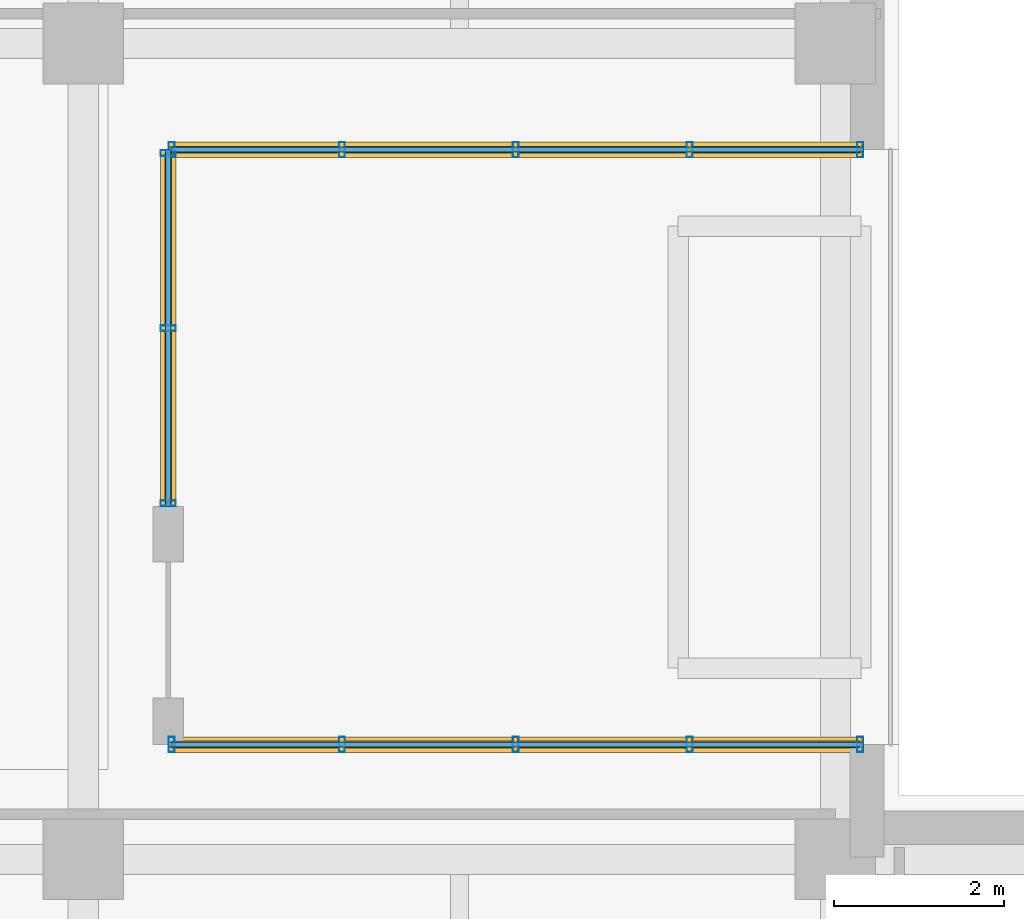
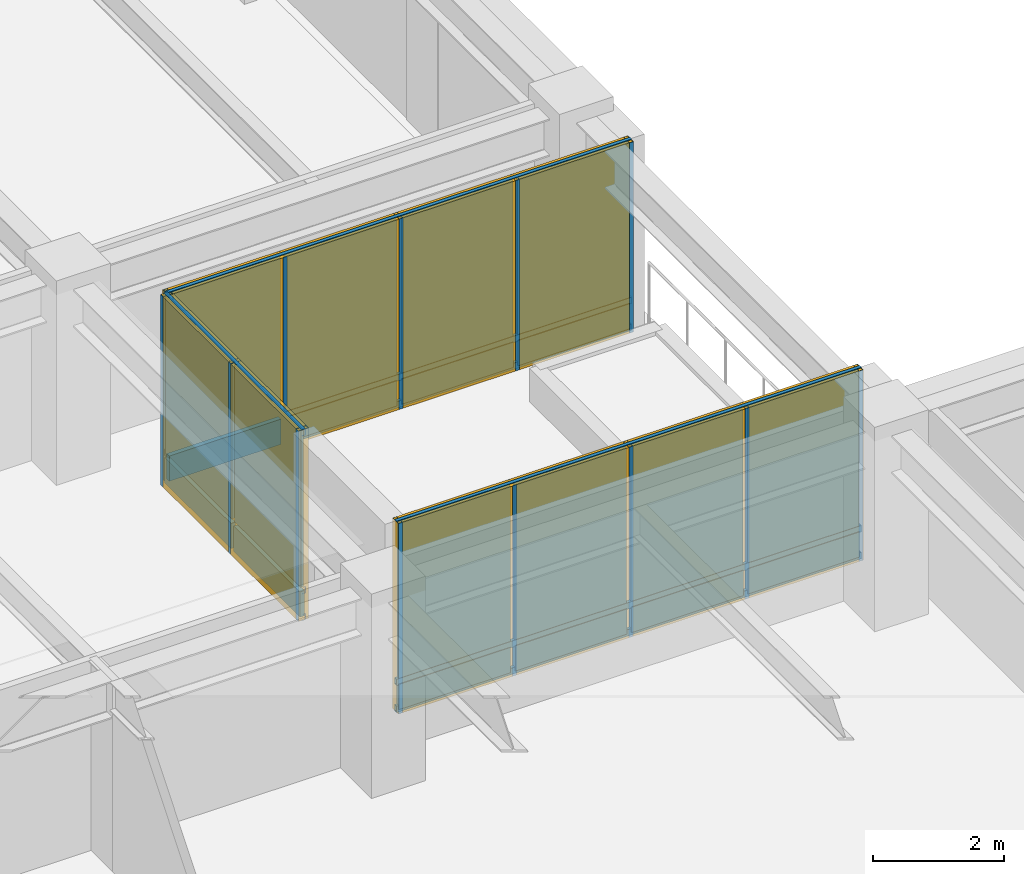
# One storey, part 11 of 16: 22 members, 20 plates, 3 curtain walls.
"""IFC4 building model written with IfcOpenShell, lengths in metres."""

import ifcopenshell
import ifcopenshell.guid

model = None  # the IFC model being written
_history = None  # IfcOwnerHistory: only IFC2X3 demands one
_inside = {}  # id of a spatial element -> (the spatial element, [elements in it])
_under = {}  # id of a project, library or spatial element -> (it, [spatial elements below it])
_declared = {}  # id of a project -> (the project, [libraries it declares])
_typed = {}  # id of a type object -> (the type object, [elements of that type])
_made_of = {}  # id of a material, layer set ... -> (it, [elements and type objects made of it])


def new_model(schema):
    """Start an empty IFC model of exactly this schema.

    Asked for "IFC4X3", IfcOpenShell would pick the latest addendum, in which some entities
    have other attributes; the version numbers below select the first issue.
    IFC2X3 requires an IfcOwnerHistory on every rooted entity: one is made here for all.
    """
    global model, _history
    if schema == "IFC4X3":
        model = ifcopenshell.file(schema_version=(4, 3, 0, 0))
    else:
        model = ifcopenshell.file(schema=schema)
    _inside.clear()
    _under.clear()
    _declared.clear()
    _typed.clear()
    _made_of.clear()
    _history = None
    if model.schema == "IFC2X3":
        org = make("IfcOrganization", Name="unknown")
        user = make(
            "IfcPersonAndOrganization",
            ThePerson=make("IfcPerson", FamilyName="unknown"),
            TheOrganization=org,
        )
        app = make(
            "IfcApplication",
            ApplicationDeveloper=org,
            Version="unknown",
            ApplicationFullName="unknown",
            ApplicationIdentifier="unknown",
        )
        _history = make(
            "IfcOwnerHistory",
            OwningUser=user,
            OwningApplication=app,
            ChangeAction="ADDED",
            CreationDate=0,
        )
    return model


def make(cls, **values):
    """One entity of the class cls with the attributes given. An attribute that is None is left unset."""
    return model.create_entity(
        cls, **{name: value for name, value in values.items() if value is not None}
    )


def rooted(cls, **values):
    """An entity with a GlobalId (a new one), such as an element, a storey or a relation."""
    return make(cls, GlobalId=ifcopenshell.guid.new(), OwnerHistory=_history, **values)


def si_unit(unit_type, name, prefix=None):
    """IfcSIUnit, for example si_unit("LENGTHUNIT", "METRE", prefix="MILLI")."""
    return make("IfcSIUnit", UnitType=unit_type, Prefix=prefix, Name=name)


def assignment(units):
    """IfcUnitAssignment: the units of a project."""
    return None if units is None else make("IfcUnitAssignment", Units=units)


def point(xyz):
    """IfcCartesianPoint."""
    return None if xyz is None else make("IfcCartesianPoint", Coordinates=xyz)


def direction(xyz):
    """IfcDirection."""
    return None if xyz is None else make("IfcDirection", DirectionRatios=xyz)


def frame(location, z_axis=None, x_axis=None):
    """IfcAxis2Placement3D, a coordinate frame: its origin and axes. An axis left out is left unset."""
    return make(
        "IfcAxis2Placement3D",
        Location=point(location),
        Axis=direction(z_axis),
        RefDirection=direction(x_axis),
    )


def frame_2d(location, x_axis=None):
    """IfcAxis2Placement2D, a coordinate frame in the plane: its origin and x axis."""
    return make(
        "IfcAxis2Placement2D", Location=point(location), RefDirection=direction(x_axis)
    )


def origin():
    """The frame at (0, 0, 0) with its axes left unset."""
    return frame((0.0, 0.0, 0.0))


def origin_2d():
    """The frame at (0, 0) in the plane with its x axis left unset."""
    return frame_2d((0.0, 0.0))


def place(relative_to, where):
    """IfcLocalPlacement: puts the frame where relative to a parent placement (None: the world)."""
    return make(
        "IfcLocalPlacement", PlacementRelTo=relative_to, RelativePlacement=where
    )


def context(
    kind, dimensions, precision=None, world=None, true_north=None, identifier=None
):
    """IfcGeometricRepresentationContext, for example the 3D "Model" context."""
    return make(
        "IfcGeometricRepresentationContext",
        ContextIdentifier=identifier,
        ContextType=kind,
        CoordinateSpaceDimension=dimensions,
        Precision=precision,
        WorldCoordinateSystem=world,
        TrueNorth=true_north,
    )


def subcontext(parent, identifier, kind, view, scale=None):
    """IfcGeometricRepresentationSubContext, for example "Body" below "Model"."""
    return make(
        "IfcGeometricRepresentationSubContext",
        ContextIdentifier=identifier,
        ContextType=kind,
        ParentContext=parent,
        TargetScale=scale,
        TargetView=view,
    )


def project(units=None, contexts=None):
    """IfcProject with its units and contexts."""
    return rooted(
        "IfcProject",
        Name="project",
        RepresentationContexts=contexts,
        UnitsInContext=assignment(units),
    )


def spatial(cls, under=None, at=None, **own):
    """A site, building, storey or space (cls), placed at a placement, below another one or the project."""
    s = rooted(cls, ObjectPlacement=at, **own)
    if under is not None:
        _under.setdefault(under.id(), (under, []))[1].append(s)
    return s


def profile(cls, at=None, kind="AREA", **sizes):
    """A parametric profile (cls). Its sizes go by their IFC names, for example OverallWidth=200.0."""
    return make(cls, ProfileType=kind, Position=at, **sizes)


def rectangle(**sizes):
    """IfcRectangleProfileDef."""
    return profile("IfcRectangleProfileDef", **sizes)


def hollow_rectangle(**sizes):
    """IfcRectangleHollowProfileDef."""
    return profile("IfcRectangleHollowProfileDef", **sizes)


def extrude(swept, where, along, depth):
    """IfcExtrudedAreaSolid: the profile swept, set in the frame where, extruded along a direction by depth."""
    return make(
        "IfcExtrudedAreaSolid",
        SweptArea=swept,
        Position=where,
        ExtrudedDirection=direction(along),
        Depth=depth,
    )


def shape(context_of_items, identifier, shape_type, items):
    """IfcShapeRepresentation: the items that make up one representation, for example the "Body"."""
    return make(
        "IfcShapeRepresentation",
        ContextOfItems=context_of_items,
        RepresentationIdentifier=identifier,
        RepresentationType=shape_type,
        Items=items,
    )


def material(Name=None, Category=None):
    """IfcMaterial."""
    return make("IfcMaterial", Name=Name, Category=Category)


def layer(
    of_material, thickness, ventilated=None, Name=None, Category=None, Priority=None
):
    """IfcMaterialLayer: one layer of a wall or slab, of a material (None: an air gap)."""
    return make(
        "IfcMaterialLayer",
        Material=of_material,
        LayerThickness=thickness,
        IsVentilated=ventilated,
        Name=Name,
        Category=Category,
        Priority=Priority,
    )


def layer_set(layers, Name=None):
    """IfcMaterialLayerSet."""
    return make("IfcMaterialLayerSet", MaterialLayers=layers, LayerSetName=Name)


def material_profile(
    of_material, cross_section, Name=None, Category=None, Priority=None
):
    """IfcMaterialProfile: a cross section and its material."""
    return make(
        "IfcMaterialProfile",
        Name=Name,
        Material=of_material,
        Profile=cross_section,
        Priority=Priority,
        Category=Category,
    )


def profile_set(profiles, Name=None, composite=None):
    """IfcMaterialProfileSet."""
    return make(
        "IfcMaterialProfileSet",
        Name=Name,
        MaterialProfiles=profiles,
        CompositeProfile=composite,
    )


def made_of(thing, what):
    """Note that an element or type object is made of a material, layer set ...; save() writes the relation."""
    if what is not None:
        _made_of.setdefault(what.id(), (what, []))[1].append(thing)
    return thing


def type_object(cls, material=None, **own):
    """A type object (cls), such as IfcWallType, which elements share."""
    return made_of(rooted(cls, **own), material)


def element(
    cls,
    number,
    at=None,
    inside=None,
    cuts=None,
    type_object=None,
    material=None,
    context=None,
    identifier="Body",
    shape_type=None,
    held_by="IfcProductDefinitionShape",
    body=None,
    shapes=None,
    **own,
):
    """One element of the class cls, such as IfcWall. Its Tag is "e" and its number.

    at: its placement. inside: the storey or other place that contains it. cuts: it is an
    opening in that element (IfcRelVoidsElement). A single representation is given by context,
    identifier, shape_type and body (its items); several are given by shapes. held_by: the class
    of the entity that holds the representations. save() writes the other relations.
    """
    e = rooted(cls, Tag="e%d" % number, ObjectPlacement=at, **own)
    if body is not None:
        shapes = [shape(context, identifier, shape_type, body)]
    if shapes is not None:
        e.Representation = make(held_by, Representations=shapes)
    if inside is not None:
        _inside.setdefault(inside.id(), (inside, []))[1].append(e)
    if cuts is not None:
        rooted(
            "IfcRelVoidsElement", RelatingBuildingElement=cuts, RelatedOpeningElement=e
        )
    if type_object is not None:
        _typed.setdefault(type_object.id(), (type_object, []))[1].append(e)
    return made_of(e, material)


def aggregate(whole, parts):
    """IfcRelAggregates: a whole, such as a stair, and the parts it consists of."""
    return rooted("IfcRelAggregates", RelatingObject=whole, RelatedObjects=parts)


def save(model, path):
    """Write the relations noted so far, then the file.

    IfcRelAggregates (storeys below a building ...), IfcRelContainedInSpatialStructure (elements
    in a storey), IfcRelDefinesByType, IfcRelAssociatesMaterial and IfcRelDeclares: one each for
    every whole, place, type object, material and project.
    """
    for whole, parts in _under.values():
        aggregate(whole, parts)
    for where, things in _inside.values():
        rooted(
            "IfcRelContainedInSpatialStructure",
            RelatedElements=things,
            RelatingStructure=where,
        )
    for kind, things in _typed.values():
        rooted("IfcRelDefinesByType", RelatedObjects=things, RelatingType=kind)
    for what, things in _made_of.values():
        rooted("IfcRelAssociatesMaterial", RelatedObjects=things, RelatingMaterial=what)
    for by, libraries in _declared.values():
        rooted("IfcRelDeclares", RelatingContext=by, RelatedDefinitions=libraries)
    model.write(path)


model = new_model("IFC4")

# Units and contexts
model_context = context("Model", 3, precision=1e-05, world=origin(), true_north=direction((0.0, 1.0)))
body_context = subcontext(model_context, "Body", "Model", "MODEL_VIEW")
ifc_project = project(units=[si_unit("LENGTHUNIT", "METRE"), si_unit("AREAUNIT", "SQUARE_METRE"), si_unit("VOLUMEUNIT", "CUBIC_METRE"), si_unit("PLANEANGLEUNIT", "RADIAN"), si_unit("MASSUNIT", "GRAM", prefix="KILO")], contexts=[model_context])

# Member
ifc_material_1 = material(Name="Anodized Aluminium 6063-T6", Category="aluminium")
ifc_material_profile_1 = material_profile(ifc_material_1, hollow_rectangle(XDim=0.070068359375, YDim=0.179931640625, WallThickness=0.00390625, at=origin_2d()), Name="Anodized Aluminium 6063-T6")
ifc_profile_set_1 = profile_set([ifc_material_profile_1], Name="Anodized Aluminium 6063-T6")
member_type_1 = type_object("IfcMemberType", Name="Curtain Wall Mullion 180", PredefinedType="MULLION", material=ifc_profile_set_1)
site_placement = place(None, origin())
building_placement = place(site_placement, origin())
storey_placement = place(building_placement, frame((0.0, 0.0, 167.39990234375)))
member_1_placement = place(storey_placement, frame((29.840087890625, 46.0, 0.0), z_axis=(0.0, 0.0, 1.0), x_axis=(1.0, 0.0, 0.0)))
member_1 = element("IfcMember", 1, at=member_1_placement, type_object=member_type_1, Name="Curtain Wall Mullion CW-L42-SGN-M01", PredefinedType="MULLION", context=body_context, shape_type="SweptSolid", body=[
    extrude(hollow_rectangle(XDim=0.070068359375, YDim=0.179931640625, WallThickness=0.00390625, at=origin_2d()), origin(), (0.0, 0.0, 1.0), 3.5400390625),
])

member_2_placement = place(storey_placement, frame((31.844970703125, 46.0, 0.0), z_axis=(0.0, 0.0, 1.0), x_axis=(1.0, 0.0, 0.0)))
member_2 = element("IfcMember", 2, at=member_2_placement, type_object=member_type_1, Name="Curtain Wall Mullion CW-L42-SGN-M02", PredefinedType="MULLION", context=body_context, shape_type="SweptSolid", body=[
    extrude(hollow_rectangle(XDim=0.070068359375, YDim=0.179931640625, WallThickness=0.00390625, at=origin_2d()), origin(), (0.0, 0.0, 1.0), 3.5400390625),
])

member_3_placement = place(storey_placement, frame((33.889892578125, 46.0, 0.0), z_axis=(0.0, 0.0, 1.0), x_axis=(1.0, 0.0, 0.0)))
member_3 = element("IfcMember", 3, at=member_3_placement, type_object=member_type_1, Name="Curtain Wall Mullion CW-L42-SGN-M03", PredefinedType="MULLION", context=body_context, shape_type="SweptSolid", body=[
    extrude(hollow_rectangle(XDim=0.070068359375, YDim=0.179931640625, WallThickness=0.00390625, at=origin_2d()), origin(), (0.0, 0.0, 1.0), 3.5400390625),
])

member_4_placement = place(storey_placement, frame((35.93505859375, 46.0, 0.0), z_axis=(0.0, 0.0, 1.0), x_axis=(1.0, 0.0, 0.0)))
member_4 = element("IfcMember", 4, at=member_4_placement, type_object=member_type_1, Name="Curtain Wall Mullion CW-L42-SGN-M04", PredefinedType="MULLION", context=body_context, shape_type="SweptSolid", body=[
    extrude(hollow_rectangle(XDim=0.070068359375, YDim=0.179931640625, WallThickness=0.00390625, at=origin_2d()), origin(), (0.0, 0.0, 1.0), 3.5400390625),
])

member_5_placement = place(storey_placement, frame((37.93994140625, 46.0, 0.0), z_axis=(0.0, 0.0, 1.0), x_axis=(1.0, 0.0, 0.0)))
member_5 = element("IfcMember", 5, at=member_5_placement, type_object=member_type_1, Name="Curtain Wall Mullion CW-L42-SGN-M05", PredefinedType="MULLION", context=body_context, shape_type="SweptSolid", body=[
    extrude(hollow_rectangle(XDim=0.070068359375, YDim=0.179931640625, WallThickness=0.00390625, at=origin_2d()), origin(), (0.0, 0.0, 1.0), 3.5400390625),
])

member_6_placement = place(storey_placement, frame((29.840087890625, 39.0, 0.0), z_axis=(0.0, 0.0, 1.0), x_axis=(1.0, 0.0, 0.0)))
member_6 = element("IfcMember", 6, at=member_6_placement, type_object=member_type_1, Name="Curtain Wall Mullion CW-L42-SGS-M01", PredefinedType="MULLION", context=body_context, shape_type="SweptSolid", body=[
    extrude(hollow_rectangle(XDim=0.070068359375, YDim=0.179931640625, WallThickness=0.00390625, at=origin_2d()), origin(), (0.0, 0.0, 1.0), 3.5400390625),
])

member_7_placement = place(storey_placement, frame((31.844970703125, 39.0, 0.0), z_axis=(0.0, 0.0, 1.0), x_axis=(1.0, 0.0, 0.0)))
member_7 = element("IfcMember", 7, at=member_7_placement, type_object=member_type_1, Name="Curtain Wall Mullion CW-L42-SGS-M02", PredefinedType="MULLION", context=body_context, shape_type="SweptSolid", body=[
    extrude(hollow_rectangle(XDim=0.070068359375, YDim=0.179931640625, WallThickness=0.00390625, at=origin_2d()), origin(), (0.0, 0.0, 1.0), 3.5400390625),
])

member_8_placement = place(storey_placement, frame((33.889892578125, 39.0, 0.0), z_axis=(0.0, 0.0, 1.0), x_axis=(1.0, 0.0, 0.0)))
member_8 = element("IfcMember", 8, at=member_8_placement, type_object=member_type_1, Name="Curtain Wall Mullion CW-L42-SGS-M03", PredefinedType="MULLION", context=body_context, shape_type="SweptSolid", body=[
    extrude(hollow_rectangle(XDim=0.070068359375, YDim=0.179931640625, WallThickness=0.00390625, at=origin_2d()), origin(), (0.0, 0.0, 1.0), 3.5400390625),
])

member_9_placement = place(storey_placement, frame((35.93505859375, 39.0, 0.0), z_axis=(0.0, 0.0, 1.0), x_axis=(1.0, 0.0, 0.0)))
member_9 = element("IfcMember", 9, at=member_9_placement, type_object=member_type_1, Name="Curtain Wall Mullion CW-L42-SGS-M04", PredefinedType="MULLION", context=body_context, shape_type="SweptSolid", body=[
    extrude(hollow_rectangle(XDim=0.070068359375, YDim=0.179931640625, WallThickness=0.00390625, at=origin_2d()), origin(), (0.0, 0.0, 1.0), 3.5400390625),
])

member_10_placement = place(storey_placement, frame((37.93994140625, 39.0, 0.0), z_axis=(0.0, 0.0, 1.0), x_axis=(1.0, 0.0, 0.0)))
member_10 = element("IfcMember", 10, at=member_10_placement, type_object=member_type_1, Name="Curtain Wall Mullion CW-L42-SGS-M05", PredefinedType="MULLION", context=body_context, shape_type="SweptSolid", body=[
    extrude(hollow_rectangle(XDim=0.070068359375, YDim=0.179931640625, WallThickness=0.00390625, at=origin_2d()), origin(), (0.0, 0.0, 1.0), 3.5400390625),
])

member_11_placement = place(storey_placement, frame((29.800048828125, 41.840087890625, 0.0), z_axis=(0.0, 0.0, 1.0), x_axis=(0.0, 1.0, 0.0)))
member_11 = element("IfcMember", 11, at=member_11_placement, type_object=member_type_1, Name="Curtain Wall Mullion CW-L42-SGW-M01", PredefinedType="MULLION", context=body_context, shape_type="SweptSolid", body=[
    extrude(hollow_rectangle(XDim=0.070068359375, YDim=0.179931640625, WallThickness=0.00390625, at=origin_2d()), origin(), (0.0, 0.0, 1.0), 3.5400390625),
])

member_12_placement = place(storey_placement, frame((29.800048828125, 43.89990234375, 0.0), z_axis=(0.0, 0.0, 1.0), x_axis=(0.0, 1.0, 0.0)))
member_12 = element("IfcMember", 12, at=member_12_placement, type_object=member_type_1, Name="Curtain Wall Mullion CW-L42-SGW-M02", PredefinedType="MULLION", context=body_context, shape_type="SweptSolid", body=[
    extrude(hollow_rectangle(XDim=0.070068359375, YDim=0.179931640625, WallThickness=0.00390625, at=origin_2d()), origin(), (0.0, 0.0, 1.0), 3.5400390625),
])

member_13_placement = place(storey_placement, frame((29.800048828125, 45.9599609375, 0.0), z_axis=(0.0, 0.0, 1.0), x_axis=(0.0, 1.0, 0.0)))
member_13 = element("IfcMember", 13, at=member_13_placement, type_object=member_type_1, Name="Curtain Wall Mullion CW-L42-SGW-M03", PredefinedType="MULLION", context=body_context, shape_type="SweptSolid", body=[
    extrude(hollow_rectangle(XDim=0.070068359375, YDim=0.179931640625, WallThickness=0.00390625, at=origin_2d()), origin(), (0.0, 0.0, 1.0), 3.5400390625),
])

ifc_material_profile_2 = material_profile(ifc_material_1, hollow_rectangle(XDim=0.06005859375, YDim=0.1201171875, WallThickness=0.00341796875, at=origin_2d()), Name="Anodized Aluminium 6063-T6")
ifc_profile_set_2 = profile_set([ifc_material_profile_2], Name="Anodized Aluminium 6063-T6")
member_type_2 = type_object("IfcMemberType", Name="Curtain Wall Transom 120", PredefinedType="USERDEFINED", material=ifc_profile_set_2)
member_14_placement = place(storey_placement, frame((29.800048828125, 46.0, 0.050048828125), z_axis=(1.0, 0.0, 0.0), x_axis=(0.0, 1.0, 0.0)))
member_14 = element("IfcMember", 14, at=member_14_placement, type_object=member_type_2, Name="Curtain Wall Transom CW-L42-SGN-T01", ObjectType="TRANSOM", PredefinedType="USERDEFINED", context=body_context, shape_type="SweptSolid", body=[
    extrude(hollow_rectangle(XDim=0.06005859375, YDim=0.1201171875, WallThickness=0.00341796875, at=origin_2d()), origin(), (0.0, 0.0, 1.0), 8.179931640625),
])

member_15_placement = place(storey_placement, frame((29.800048828125, 46.0, 0.550048828125), z_axis=(1.0, 0.0, 0.0), x_axis=(0.0, 1.0, 0.0)))
member_15 = element("IfcMember", 15, at=member_15_placement, type_object=member_type_2, Name="Curtain Wall Transom CW-L42-SGN-T02", ObjectType="TRANSOM", PredefinedType="USERDEFINED", context=body_context, shape_type="SweptSolid", body=[
    extrude(hollow_rectangle(XDim=0.06005859375, YDim=0.1201171875, WallThickness=0.00341796875, at=origin_2d()), origin(), (0.0, 0.0, 1.0), 8.179931640625),
])

member_16_placement = place(storey_placement, frame((29.800048828125, 46.0, 3.489990234375), z_axis=(1.0, 0.0, 0.0), x_axis=(0.0, 1.0, 0.0)))
member_16 = element("IfcMember", 16, at=member_16_placement, type_object=member_type_2, Name="Curtain Wall Transom CW-L42-SGN-T03", ObjectType="TRANSOM", PredefinedType="USERDEFINED", context=body_context, shape_type="SweptSolid", body=[
    extrude(hollow_rectangle(XDim=0.06005859375, YDim=0.1201171875, WallThickness=0.00341796875, at=origin_2d()), origin(), (0.0, 0.0, 1.0), 8.179931640625),
])

member_17_placement = place(storey_placement, frame((29.800048828125, 39.0, 0.050048828125), z_axis=(1.0, 0.0, 0.0), x_axis=(0.0, 1.0, 0.0)))
member_17 = element("IfcMember", 17, at=member_17_placement, type_object=member_type_2, Name="Curtain Wall Transom CW-L42-SGS-T01", ObjectType="TRANSOM", PredefinedType="USERDEFINED", context=body_context, shape_type="SweptSolid", body=[
    extrude(hollow_rectangle(XDim=0.06005859375, YDim=0.1201171875, WallThickness=0.00341796875, at=origin_2d()), origin(), (0.0, 0.0, 1.0), 8.179931640625),
])

member_18_placement = place(storey_placement, frame((29.800048828125, 39.0, 0.550048828125), z_axis=(1.0, 0.0, 0.0), x_axis=(0.0, 1.0, 0.0)))
member_18 = element("IfcMember", 18, at=member_18_placement, type_object=member_type_2, Name="Curtain Wall Transom CW-L42-SGS-T02", ObjectType="TRANSOM", PredefinedType="USERDEFINED", context=body_context, shape_type="SweptSolid", body=[
    extrude(hollow_rectangle(XDim=0.06005859375, YDim=0.1201171875, WallThickness=0.00341796875, at=origin_2d()), origin(), (0.0, 0.0, 1.0), 8.179931640625),
])

member_19_placement = place(storey_placement, frame((29.800048828125, 39.0, 3.489990234375), z_axis=(1.0, 0.0, 0.0), x_axis=(0.0, 1.0, 0.0)))
member_19 = element("IfcMember", 19, at=member_19_placement, type_object=member_type_2, Name="Curtain Wall Transom CW-L42-SGS-T03", ObjectType="TRANSOM", PredefinedType="USERDEFINED", context=body_context, shape_type="SweptSolid", body=[
    extrude(hollow_rectangle(XDim=0.06005859375, YDim=0.1201171875, WallThickness=0.00341796875, at=origin_2d()), origin(), (0.0, 0.0, 1.0), 8.179931640625),
])

member_20_placement = place(storey_placement, frame((29.800048828125, 41.800048828125, 0.050048828125), z_axis=(0.0, 1.0, 0.0), x_axis=(-1.0, 0.0, 0.0)))
member_20 = element("IfcMember", 20, at=member_20_placement, type_object=member_type_2, Name="Curtain Wall Transom CW-L42-SGW-T01", ObjectType="TRANSOM", PredefinedType="USERDEFINED", context=body_context, shape_type="SweptSolid", body=[
    extrude(hollow_rectangle(XDim=0.06005859375, YDim=0.1201171875, WallThickness=0.00341796875, at=origin_2d()), origin(), (0.0, 0.0, 1.0), 4.199951171875),
])

member_21_placement = place(storey_placement, frame((29.800048828125, 41.800048828125, 0.550048828125), z_axis=(0.0, 1.0, 0.0), x_axis=(-1.0, 0.0, 0.0)))
member_21 = element("IfcMember", 21, at=member_21_placement, type_object=member_type_2, Name="Curtain Wall Transom CW-L42-SGW-T02", ObjectType="TRANSOM", PredefinedType="USERDEFINED", context=body_context, shape_type="SweptSolid", body=[
    extrude(hollow_rectangle(XDim=0.06005859375, YDim=0.1201171875, WallThickness=0.00341796875, at=origin_2d()), origin(), (0.0, 0.0, 1.0), 4.199951171875),
])

member_22_placement = place(storey_placement, frame((29.800048828125, 41.800048828125, 3.489990234375), z_axis=(0.0, 1.0, 0.0), x_axis=(-1.0, 0.0, 0.0)))
member_22 = element("IfcMember", 22, at=member_22_placement, type_object=member_type_2, Name="Curtain Wall Transom CW-L42-SGW-T03", ObjectType="TRANSOM", PredefinedType="USERDEFINED", context=body_context, shape_type="SweptSolid", body=[
    extrude(hollow_rectangle(XDim=0.06005859375, YDim=0.1201171875, WallThickness=0.00341796875, at=origin_2d()), origin(), (0.0, 0.0, 1.0), 4.199951171875),
])

# Plate
ifc_material_2 = material(Name="Bird-Friendly Fritted Triple Glazing", Category="glass")
ifc_layer_1 = layer(ifc_material_2, 0.052001953125, Name="Bird-Friendly Fritted Triple Glazing")
ifc_layer_set_1 = layer_set([ifc_layer_1], Name="Bird-Friendly Fritted Triple Glazing")
plate_type_1 = type_object("IfcPlateType", Name="Plate CWGlazing 52", PredefinedType="CURTAIN_PANEL", material=ifc_layer_set_1)
plate_1_placement = place(storey_placement, frame((30.822509765625, 46.0, 0.59033203125), z_axis=(0.0, 0.0, 1.0), x_axis=(1.0, 0.0, 0.0)))
plate_1 = element("IfcPlate", 23, at=plate_1_placement, type_object=plate_type_1, Name="Vision Glazing Panel CW-L42-SGN-GL01", PredefinedType="CURTAIN_PANEL", context=body_context, shape_type="SweptSolid", body=[
    extrude(rectangle(XDim=1.965087890625, YDim=0.052001953125, at=origin_2d()), origin(), (0.0, 0.0, 1.0), 2.909912109375),
])

plate_2_placement = place(storey_placement, frame((32.867431640625, 46.0, 0.59033203125), z_axis=(0.0, 0.0, 1.0), x_axis=(1.0, 0.0, 0.0)))
plate_2 = element("IfcPlate", 24, at=plate_2_placement, type_object=plate_type_1, Name="Vision Glazing Panel CW-L42-SGN-GL02", PredefinedType="CURTAIN_PANEL", context=body_context, shape_type="SweptSolid", body=[
    extrude(rectangle(XDim=1.965087890625, YDim=0.052001953125, at=origin_2d()), origin(), (0.0, 0.0, 1.0), 2.909912109375),
])

plate_3_placement = place(storey_placement, frame((34.91259765625, 46.0, 0.59033203125), z_axis=(0.0, 0.0, 1.0), x_axis=(1.0, 0.0, 0.0)))
plate_3 = element("IfcPlate", 25, at=plate_3_placement, type_object=plate_type_1, Name="Vision Glazing Panel CW-L42-SGN-GL03", PredefinedType="CURTAIN_PANEL", context=body_context, shape_type="SweptSolid", body=[
    extrude(rectangle(XDim=1.965087890625, YDim=0.052001953125, at=origin_2d()), origin(), (0.0, 0.0, 1.0), 2.909912109375),
])

plate_4_placement = place(storey_placement, frame((36.95751953125, 46.0, 0.59033203125), z_axis=(0.0, 0.0, 1.0), x_axis=(1.0, 0.0, 0.0)))
plate_4 = element("IfcPlate", 26, at=plate_4_placement, type_object=plate_type_1, Name="Vision Glazing Panel CW-L42-SGN-GL04", PredefinedType="CURTAIN_PANEL", context=body_context, shape_type="SweptSolid", body=[
    extrude(rectangle(XDim=1.965087890625, YDim=0.052001953125, at=origin_2d()), origin(), (0.0, 0.0, 1.0), 2.909912109375),
])

plate_5_placement = place(storey_placement, frame((30.822509765625, 39.0, 0.59033203125), z_axis=(0.0, 0.0, 1.0), x_axis=(1.0, 0.0, 0.0)))
plate_5 = element("IfcPlate", 27, at=plate_5_placement, type_object=plate_type_1, Name="Vision Glazing Panel CW-L42-SGS-GL01", PredefinedType="CURTAIN_PANEL", context=body_context, shape_type="SweptSolid", body=[
    extrude(rectangle(XDim=1.965087890625, YDim=0.052001953125, at=origin_2d()), origin(), (0.0, 0.0, 1.0), 2.909912109375),
])

plate_6_placement = place(storey_placement, frame((32.867431640625, 39.0, 0.59033203125), z_axis=(0.0, 0.0, 1.0), x_axis=(1.0, 0.0, 0.0)))
plate_6 = element("IfcPlate", 28, at=plate_6_placement, type_object=plate_type_1, Name="Vision Glazing Panel CW-L42-SGS-GL02", PredefinedType="CURTAIN_PANEL", context=body_context, shape_type="SweptSolid", body=[
    extrude(rectangle(XDim=1.965087890625, YDim=0.052001953125, at=origin_2d()), origin(), (0.0, 0.0, 1.0), 2.909912109375),
])

plate_7_placement = place(storey_placement, frame((34.91259765625, 39.0, 0.59033203125), z_axis=(0.0, 0.0, 1.0), x_axis=(1.0, 0.0, 0.0)))
plate_7 = element("IfcPlate", 29, at=plate_7_placement, type_object=plate_type_1, Name="Vision Glazing Panel CW-L42-SGS-GL03", PredefinedType="CURTAIN_PANEL", context=body_context, shape_type="SweptSolid", body=[
    extrude(rectangle(XDim=1.965087890625, YDim=0.052001953125, at=origin_2d()), origin(), (0.0, 0.0, 1.0), 2.909912109375),
])

plate_8_placement = place(storey_placement, frame((36.95751953125, 39.0, 0.59033203125), z_axis=(0.0, 0.0, 1.0), x_axis=(1.0, 0.0, 0.0)))
plate_8 = element("IfcPlate", 30, at=plate_8_placement, type_object=plate_type_1, Name="Vision Glazing Panel CW-L42-SGS-GL04", PredefinedType="CURTAIN_PANEL", context=body_context, shape_type="SweptSolid", body=[
    extrude(rectangle(XDim=1.965087890625, YDim=0.052001953125, at=origin_2d()), origin(), (0.0, 0.0, 1.0), 2.909912109375),
])

plate_9_placement = place(storey_placement, frame((29.800048828125, 42.85009765625, 0.59033203125), z_axis=(0.0, 0.0, 1.0), x_axis=(0.0, 1.0, 0.0)))
plate_9 = element("IfcPlate", 31, at=plate_9_placement, type_object=plate_type_1, Name="Vision Glazing Panel CW-L42-SGW-GL01", PredefinedType="CURTAIN_PANEL", context=body_context, shape_type="SweptSolid", body=[
    extrude(rectangle(XDim=2.02001953125, YDim=0.052001953125, at=origin_2d()), origin(), (0.0, 0.0, 1.0), 2.909912109375),
])

plate_10_placement = place(storey_placement, frame((29.800048828125, 44.949951171875, 0.59033203125), z_axis=(0.0, 0.0, 1.0), x_axis=(0.0, 1.0, 0.0)))
plate_10 = element("IfcPlate", 32, at=plate_10_placement, type_object=plate_type_1, Name="Vision Glazing Panel CW-L42-SGW-GL02", PredefinedType="CURTAIN_PANEL", context=body_context, shape_type="SweptSolid", body=[
    extrude(rectangle(XDim=2.02001953125, YDim=0.052001953125, at=origin_2d()), origin(), (0.0, 0.0, 1.0), 2.909912109375),
])

ifc_material_3 = material(Name="Insulated Aluminium Spandrel Panel", Category="aluminium")
ifc_layer_2 = layer(ifc_material_3, 0.080078125, Name="Insulated Aluminium Spandrel Panel")
ifc_layer_set_2 = layer_set([ifc_layer_2], Name="Insulated Aluminium Spandrel Panel")
plate_type_2 = type_object("IfcPlateType", Name="Plate CWSpandrel 80", PredefinedType="SHEET", material=ifc_layer_set_2)
plate_11_placement = place(storey_placement, frame((30.822509765625, 46.0, 0.0400390625), z_axis=(0.0, 0.0, 1.0), x_axis=(1.0, 0.0, 0.0)))
plate_11 = element("IfcPlate", 33, at=plate_11_placement, type_object=plate_type_2, Name="Spandrel Panel CW-L42-SGN-SP01", PredefinedType="SHEET", context=body_context, shape_type="SweptSolid", body=[
    extrude(rectangle(XDim=1.965087890625, YDim=0.080078125, at=origin_2d()), origin(), (0.0, 0.0, 1.0), 0.469970703125),
])

plate_12_placement = place(storey_placement, frame((32.867431640625, 46.0, 0.0400390625), z_axis=(0.0, 0.0, 1.0), x_axis=(1.0, 0.0, 0.0)))
plate_12 = element("IfcPlate", 34, at=plate_12_placement, type_object=plate_type_2, Name="Spandrel Panel CW-L42-SGN-SP02", PredefinedType="SHEET", context=body_context, shape_type="SweptSolid", body=[
    extrude(rectangle(XDim=1.965087890625, YDim=0.080078125, at=origin_2d()), origin(), (0.0, 0.0, 1.0), 0.469970703125),
])

plate_13_placement = place(storey_placement, frame((34.91259765625, 46.0, 0.0400390625), z_axis=(0.0, 0.0, 1.0), x_axis=(1.0, 0.0, 0.0)))
plate_13 = element("IfcPlate", 35, at=plate_13_placement, type_object=plate_type_2, Name="Spandrel Panel CW-L42-SGN-SP03", PredefinedType="SHEET", context=body_context, shape_type="SweptSolid", body=[
    extrude(rectangle(XDim=1.965087890625, YDim=0.080078125, at=origin_2d()), origin(), (0.0, 0.0, 1.0), 0.469970703125),
])

plate_14_placement = place(storey_placement, frame((36.95751953125, 46.0, 0.0400390625), z_axis=(0.0, 0.0, 1.0), x_axis=(1.0, 0.0, 0.0)))
plate_14 = element("IfcPlate", 36, at=plate_14_placement, type_object=plate_type_2, Name="Spandrel Panel CW-L42-SGN-SP04", PredefinedType="SHEET", context=body_context, shape_type="SweptSolid", body=[
    extrude(rectangle(XDim=1.965087890625, YDim=0.080078125, at=origin_2d()), origin(), (0.0, 0.0, 1.0), 0.469970703125),
])

plate_15_placement = place(storey_placement, frame((30.822509765625, 39.0, 0.0400390625), z_axis=(0.0, 0.0, 1.0), x_axis=(1.0, 0.0, 0.0)))
plate_15 = element("IfcPlate", 37, at=plate_15_placement, type_object=plate_type_2, Name="Spandrel Panel CW-L42-SGS-SP01", PredefinedType="SHEET", context=body_context, shape_type="SweptSolid", body=[
    extrude(rectangle(XDim=1.965087890625, YDim=0.080078125, at=origin_2d()), origin(), (0.0, 0.0, 1.0), 0.469970703125),
])

plate_16_placement = place(storey_placement, frame((32.867431640625, 39.0, 0.0400390625), z_axis=(0.0, 0.0, 1.0), x_axis=(1.0, 0.0, 0.0)))
plate_16 = element("IfcPlate", 38, at=plate_16_placement, type_object=plate_type_2, Name="Spandrel Panel CW-L42-SGS-SP02", PredefinedType="SHEET", context=body_context, shape_type="SweptSolid", body=[
    extrude(rectangle(XDim=1.965087890625, YDim=0.080078125, at=origin_2d()), origin(), (0.0, 0.0, 1.0), 0.469970703125),
])

plate_17_placement = place(storey_placement, frame((34.91259765625, 39.0, 0.0400390625), z_axis=(0.0, 0.0, 1.0), x_axis=(1.0, 0.0, 0.0)))
plate_17 = element("IfcPlate", 39, at=plate_17_placement, type_object=plate_type_2, Name="Spandrel Panel CW-L42-SGS-SP03", PredefinedType="SHEET", context=body_context, shape_type="SweptSolid", body=[
    extrude(rectangle(XDim=1.965087890625, YDim=0.080078125, at=origin_2d()), origin(), (0.0, 0.0, 1.0), 0.469970703125),
])

plate_18_placement = place(storey_placement, frame((36.95751953125, 39.0, 0.0400390625), z_axis=(0.0, 0.0, 1.0), x_axis=(1.0, 0.0, 0.0)))
plate_18 = element("IfcPlate", 40, at=plate_18_placement, type_object=plate_type_2, Name="Spandrel Panel CW-L42-SGS-SP04", PredefinedType="SHEET", context=body_context, shape_type="SweptSolid", body=[
    extrude(rectangle(XDim=1.965087890625, YDim=0.080078125, at=origin_2d()), origin(), (0.0, 0.0, 1.0), 0.469970703125),
])

plate_19_placement = place(storey_placement, frame((29.800048828125, 42.85009765625, 0.0400390625), z_axis=(0.0, 0.0, 1.0), x_axis=(0.0, 1.0, 0.0)))
plate_19 = element("IfcPlate", 41, at=plate_19_placement, type_object=plate_type_2, Name="Spandrel Panel CW-L42-SGW-SP01", PredefinedType="SHEET", context=body_context, shape_type="SweptSolid", body=[
    extrude(rectangle(XDim=2.02001953125, YDim=0.080078125, at=origin_2d()), origin(), (0.0, 0.0, 1.0), 0.469970703125),
])

plate_20_placement = place(storey_placement, frame((29.800048828125, 44.949951171875, 0.0400390625), z_axis=(0.0, 0.0, 1.0), x_axis=(0.0, 1.0, 0.0)))
plate_20 = element("IfcPlate", 42, at=plate_20_placement, type_object=plate_type_2, Name="Spandrel Panel CW-L42-SGW-SP02", PredefinedType="SHEET", context=body_context, shape_type="SweptSolid", body=[
    extrude(rectangle(XDim=2.02001953125, YDim=0.080078125, at=origin_2d()), origin(), (0.0, 0.0, 1.0), 0.469970703125),
])

# Site, building, storey
site = spatial("IfcSite", under=ifc_project, at=site_placement, CompositionType="ELEMENT")
building = spatial("IfcBuilding", under=site, at=building_placement, Name="Norrvale University Quadrangle", CompositionType="ELEMENT")
storey = spatial("IfcBuildingStorey", under=building, at=storey_placement, Name="L42", CompositionType="ELEMENT", Elevation=167.39990234375)

# Curtain wall
ifc_material_4 = material(Name="Anodized Aluminium and Triple Glazing", Category="glass")
curtain_wall_type = type_object("IfcCurtainWallType", Name="Curtain Wall System 2 Sky Garden", PredefinedType="NOTDEFINED", material=ifc_material_4)
curtain_wall_1_placement = place(storey_placement, frame((29.800048828125, 46.0, 0.0), z_axis=(0.0, 0.0, 1.0), x_axis=(1.0, 0.0, 0.0)))
curtain_wall_1 = element("IfcCurtainWall", 43, at=curtain_wall_1_placement, inside=storey, type_object=curtain_wall_type, Name="Curtain Wall CW System 2 Sky Garden CW-L42-SGN", PredefinedType="NOTDEFINED", context=body_context, shape_type="SweptSolid", body=[
    extrude(rectangle(XDim=8.179931640625, YDim=0.179931640625, at=frame_2d((4.08984375, 0.0))), origin(), (0.0, 0.0, 1.0), 3.5400390625),
])

aggregate(curtain_wall_1, [member_1, member_2, member_3, member_4, member_5, member_14, member_15, member_16, plate_11, plate_1, plate_12, plate_2, plate_13, plate_3, plate_14, plate_4])

curtain_wall_2_placement = place(storey_placement, frame((29.800048828125, 39.0, 0.0), z_axis=(0.0, 0.0, 1.0), x_axis=(1.0, 0.0, 0.0)))
curtain_wall_2 = element("IfcCurtainWall", 44, at=curtain_wall_2_placement, inside=storey, type_object=curtain_wall_type, Name="Curtain Wall CW System 2 Sky Garden CW-L42-SGS", PredefinedType="NOTDEFINED", context=body_context, shape_type="SweptSolid", body=[
    extrude(rectangle(XDim=8.179931640625, YDim=0.179931640625, at=frame_2d((4.08984375, 0.0))), origin(), (0.0, 0.0, 1.0), 3.5400390625),
])

aggregate(curtain_wall_2, [member_6, member_7, member_8, member_9, member_10, member_17, member_18, member_19, plate_15, plate_5, plate_16, plate_6, plate_17, plate_7, plate_18, plate_8])

curtain_wall_3_placement = place(storey_placement, frame((29.800048828125, 41.800048828125, 0.0), z_axis=(0.0, 0.0, 1.0), x_axis=(0.0, 1.0, 0.0)))
curtain_wall_3 = element("IfcCurtainWall", 45, at=curtain_wall_3_placement, inside=storey, type_object=curtain_wall_type, Name="Curtain Wall CW System 2 Sky Garden CW-L42-SGW", PredefinedType="NOTDEFINED", context=body_context, shape_type="SweptSolid", body=[
    extrude(rectangle(XDim=4.199951171875, YDim=0.179931640625, at=frame_2d((2.10009765625, 0.0))), origin(), (0.0, 0.0, 1.0), 3.5400390625),
])

aggregate(curtain_wall_3, [member_11, member_12, member_13, member_20, member_21, member_22, plate_19, plate_9, plate_20, plate_10])

save(model, "model.ifc")
